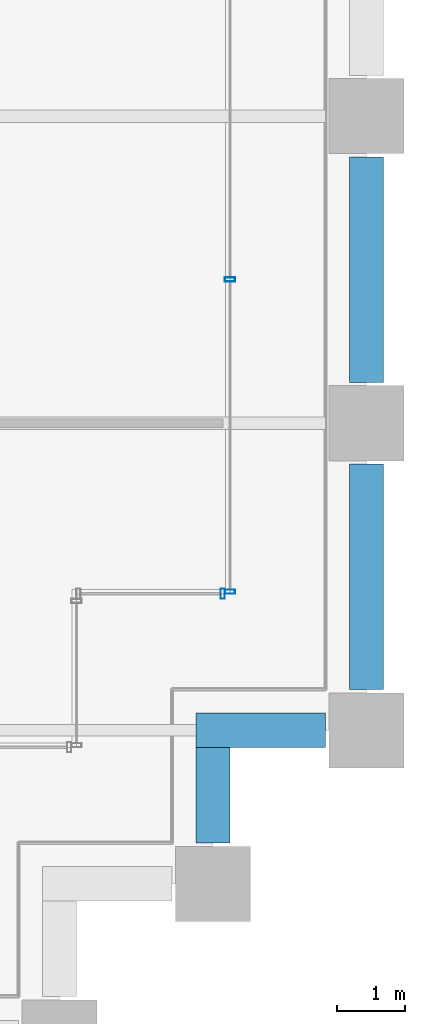
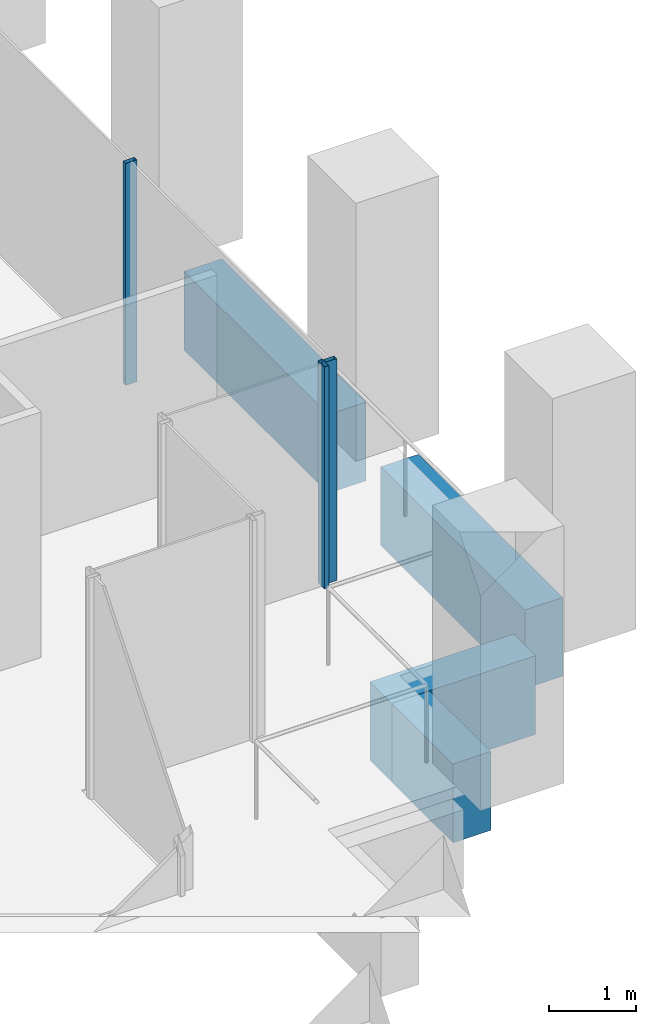
# One storey, part 45 of 55: 4 beams, 3 members, 2 elements without a shape of their own.
"""IFC4 building model written with IfcOpenShell, lengths in metres."""

from ifc_helpers import new_model, si_unit, direction, frame, origin, origin_2d, place, context, subcontext, project, spatial, rectangle, hollow_rectangle, extrude, material, material_profile, profile_set, type_object, element, aggregate, save


model = new_model("IFC4")

# Units and contexts
model_context = context("Model", 3, precision=1e-05, world=origin(), true_north=direction((0.0, 1.0)))
body_context = subcontext(model_context, "Body", "Model", "MODEL_VIEW")
ifc_project = project(units=[si_unit("LENGTHUNIT", "METRE"), si_unit("AREAUNIT", "SQUARE_METRE"), si_unit("VOLUMEUNIT", "CUBIC_METRE"), si_unit("PLANEANGLEUNIT", "RADIAN"), si_unit("MASSUNIT", "GRAM", prefix="KILO")], contexts=[model_context])

# Site, building, storey
site_placement = place(None, origin())
site = spatial("IfcSite", under=ifc_project, at=site_placement, CompositionType="ELEMENT")
building_placement = place(site_placement, origin())
building = spatial("IfcBuilding", under=site, at=building_placement, Name="Altepetl Exchange Towers", CompositionType="ELEMENT")
storey_placement = place(building_placement, frame((0.0, 0.0, 47.39990234375)))
storey = spatial("IfcBuildingStorey", under=building, at=storey_placement, Name="L10", CompositionType="ELEMENT", Elevation=47.39990234375)

# Curtain wall, member
ifc_material_1 = material(Name="Aluminium 6063-T6 glazing", Category="aluminium")
curtain_wall_type = type_object("IfcCurtainWallType", Name="Loggia glazing system", PredefinedType="NOTDEFINED", material=ifc_material_1)
curtain_wall_1_placement = place(storey_placement, origin())
curtain_wall_1 = element("IfcCurtainWall", 1, at=curtain_wall_1_placement, inside=storey, type_object=curtain_wall_type, Name="CW1 run", PredefinedType="NOTDEFINED")
ifc_material_2 = material(Name="Aluminium 6063-T6", Category="aluminium")
ifc_material_profile_1 = material_profile(ifc_material_2, hollow_rectangle(XDim=0.06005859375, YDim=0.14990234375, WallThickness=0.0029296875, at=origin_2d()), Name="Mullion 60x150 aluminium")
ifc_profile_set_1 = profile_set([ifc_material_profile_1], Name="Aluminium 6063-T6")
member_type = type_object("IfcMemberType", Name="Mullion 60x150 aluminium", PredefinedType="MULLION", material=ifc_profile_set_1)
member_1_placement = place(storey_placement, frame((123.89501953125, 33.5, 0.0)))
member_1 = element("IfcMember", 2, at=member_1_placement, type_object=member_type, Name="MU1 mullion", PredefinedType="MULLION", context=body_context, shape_type="SweptSolid", body=[
    extrude(hollow_rectangle(XDim=0.06005859375, YDim=0.14990234375, WallThickness=0.0029296875, at=origin_2d()), origin(), (0.0, 0.0, 1.0), 3.10009765625),
])
aggregate(curtain_wall_1, [member_1])

# Curtain wall, members
curtain_wall_2_placement = place(storey_placement, origin())
curtain_wall_2 = element("IfcCurtainWall", 3, at=curtain_wall_2_placement, inside=storey, type_object=curtain_wall_type, Name="CW1 run", PredefinedType="NOTDEFINED")
member_2_placement = place(storey_placement, frame((124.0, 33.530029296875, 0.0), z_axis=(0.0, 0.0, 1.0), x_axis=(0.0, 1.0, 0.0)))
member_2 = element("IfcMember", 4, at=member_2_placement, type_object=member_type, Name="MU1 mullion", PredefinedType="MULLION", context=body_context, shape_type="SweptSolid", body=[
    extrude(hollow_rectangle(XDim=0.06005859375, YDim=0.14990234375, WallThickness=0.0029296875, at=origin_2d()), origin(), (0.0, 0.0, 1.0), 3.10009765625),
])
member_3_placement = place(storey_placement, frame((124.0, 38.106201171875, 0.0), z_axis=(0.0, 0.0, 1.0), x_axis=(0.0, 1.0, 0.0)))
member_3 = element("IfcMember", 5, at=member_3_placement, type_object=member_type, Name="MU1 mullion", PredefinedType="MULLION", context=body_context, shape_type="SweptSolid", body=[
    extrude(hollow_rectangle(XDim=0.06005859375, YDim=0.14990234375, WallThickness=0.0029296875, at=origin_2d()), origin(), (0.0, 0.0, 1.0), 3.10009765625),
])
aggregate(curtain_wall_2, [member_2, member_3])

# Beams
ifc_material_3 = material(Name="Concrete C50/60 precast with cantera blanca facing", Category="concrete")
ifc_material_profile_2 = material_profile(ifc_material_3, rectangle(XDim=0.5, YDim=1.10009765625, at=origin_2d()), Name="500 x 1100")
ifc_profile_set_2 = profile_set([ifc_material_profile_2], Name="Concrete C50/60 precast with cantera blanca facing")
beam_type = type_object("IfcBeamType", Name="Spandrel beam 500x1100 cantera blanca", PredefinedType="SPANDREL", material=ifc_profile_set_2)
beam_1_placement = place(storey_placement, frame((123.75, 29.85009765625, -0.699951171875), z_axis=(0.0, 1.0, 0.0), x_axis=(-1.0, 0.0, 0.0)))
element("IfcBeam", 6, at=beam_1_placement, inside=storey, type_object=beam_type, Name="sp:B:L10:007", PredefinedType="SPANDREL", context=body_context, shape_type="SweptSolid", body=[
    extrude(rectangle(XDim=0.5, YDim=1.10009765625, at=origin_2d()), origin(), (0.0, 0.0, 1.0), 1.39990234375),
])
beam_2_placement = place(storey_placement, frame((123.5, 31.5, -0.699951171875), z_axis=(1.0, 0.0, 0.0), x_axis=(0.0, 1.0, 0.0)))
element("IfcBeam", 7, at=beam_2_placement, inside=storey, type_object=beam_type, Name="sp:B:L10:008", PredefinedType="SPANDREL", context=body_context, shape_type="SweptSolid", body=[
    extrude(rectangle(XDim=0.5, YDim=1.10009765625, at=origin_2d()), origin(), (0.0, 0.0, 1.0), 1.89990234375),
])
for number, where, z_axis, x_axis, name in (
    (8, (126.0, 32.10009765625, -0.699951171875), (0.0, 1.0, 0.0), (-1.0, 0.0, 0.0), "sp:B:L10:009"),
    (9, (126.0, 36.60009765625, -0.699951171875), (0.0, 1.0, 0.0), (-1.0, 0.0, 0.0), "sp:B:L10:010"),
):
    element("IfcBeam", number, at=place(storey_placement, frame(where, z_axis=z_axis, x_axis=x_axis)), inside=storey, type_object=beam_type, Name=name, PredefinedType="SPANDREL", context=body_context, shape_type="SweptSolid", body=[
        extrude(rectangle(XDim=0.5, YDim=1.10009765625, at=origin_2d()), origin(), (0.0, 0.0, 1.0), 3.2998046875),
    ])

save(model, "model.ifc")
